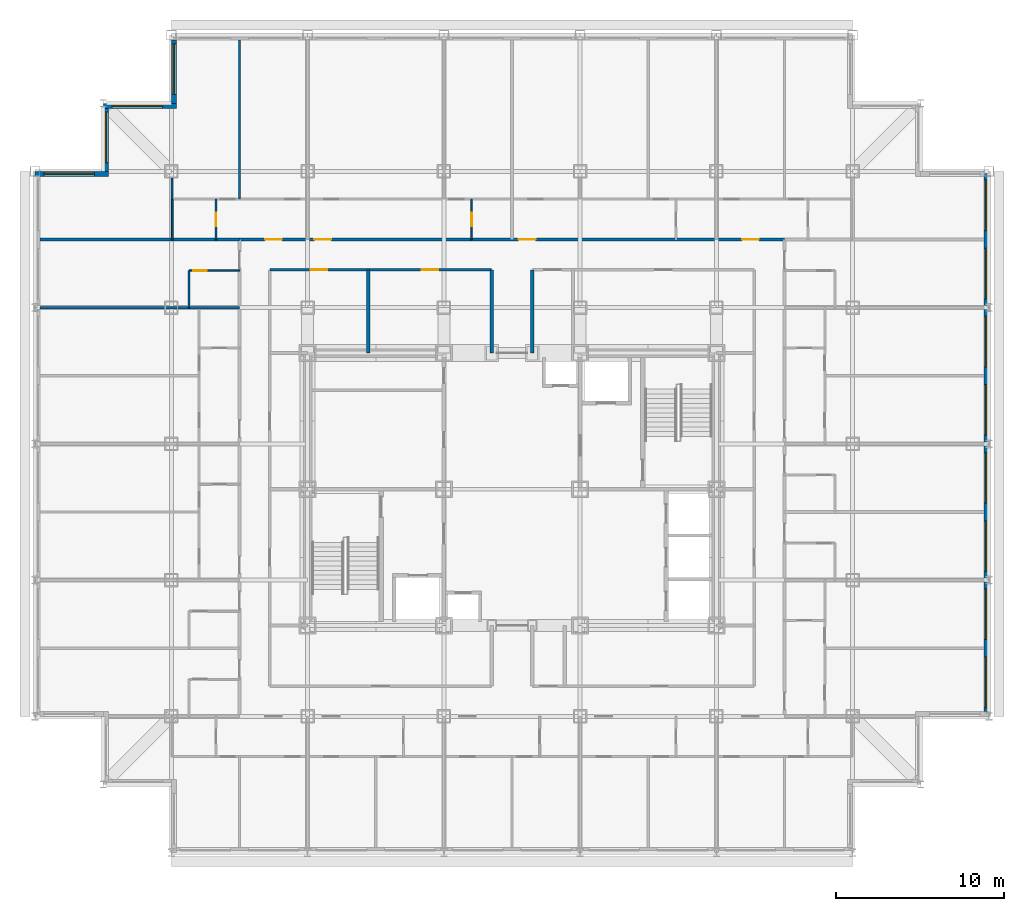
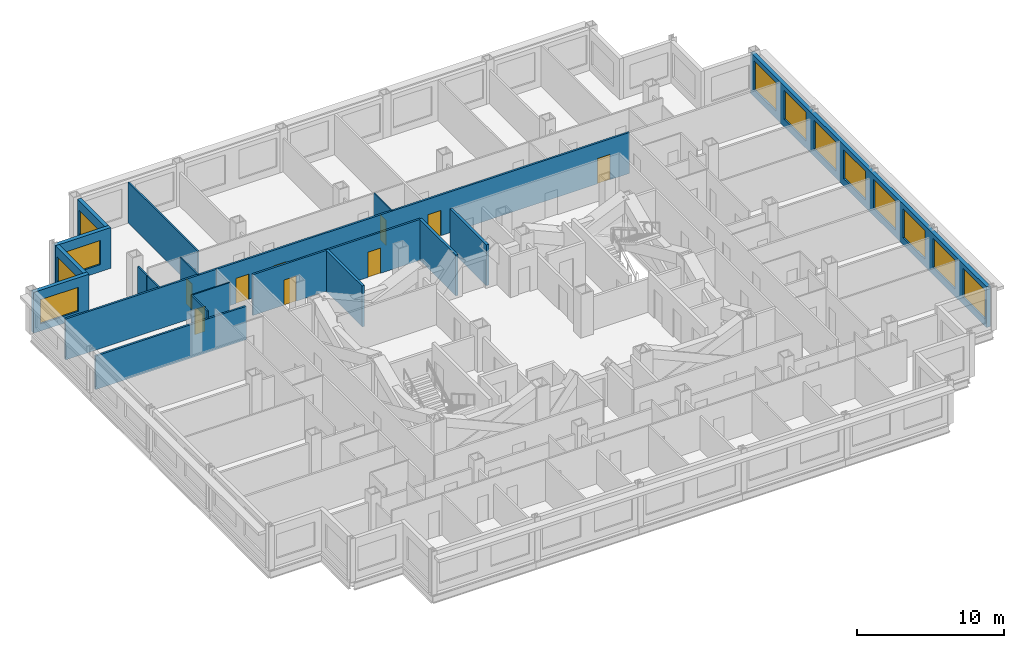
# One storey, part 9 of 12: 19 walls, 12 windows, 9 doors, 21 openings.
"""IFC4 building model written with IfcOpenShell, lengths in metres."""

from ifc_helpers import new_model, si_unit, direction, frame, frame_2d, origin, place, context, subcontext, project, spatial, rectangle, extrude, material, layer, layer_set, type_object, element, fill, save


model = new_model("IFC4")

# Units and contexts
model_context = context("Model", 3, precision=1e-05, world=origin(), true_north=direction((0.0, 1.0)))
body_context = subcontext(model_context, "Body", "Model", "MODEL_VIEW")
ifc_project = project(units=[si_unit("LENGTHUNIT", "METRE"), si_unit("AREAUNIT", "SQUARE_METRE"), si_unit("VOLUMEUNIT", "CUBIC_METRE"), si_unit("PLANEANGLEUNIT", "RADIAN"), si_unit("MASSUNIT", "GRAM", prefix="KILO")], contexts=[model_context])

# Site, building, storey
site_placement = place(None, origin())
site = spatial("IfcSite", under=ifc_project, at=site_placement, CompositionType="ELEMENT")
building_placement = place(site_placement, origin())
building = spatial("IfcBuilding", under=site, at=building_placement, Name="Kopane Lantern Tower", CompositionType="ELEMENT")
storey_placement = place(building_placement, frame((0.0, 0.0, 181.199951171875)))
storey = spatial("IfcBuildingStorey", under=building, at=storey_placement, Name="L46", CompositionType="ELEMENT", Elevation=181.199951171875)

# Walls
ifc_material_1 = material(Name="Gypsum board on steel studs", Category="steel")
ifc_layer_1 = layer(ifc_material_1, 0.1201171875)
ifc_layer_set_1 = layer_set([ifc_layer_1], Name="APARTMENT INTERNAL WALL 120")
wall_type_1 = type_object("IfcWallType", Name="APARTMENT INTERNAL WALL 120", PredefinedType="PARTITIONING", material=ifc_layer_set_1)
wall_1_placement = place(storey_placement, frame((12.14990234375, 49.64990234375, 0.0), z_axis=(0.0, 0.0, 1.0), x_axis=(0.0, 1.0, 0.0)))
element("IfcWall", 1, at=wall_1_placement, inside=storey, type_object=wall_type_1, Name="Apartment Internal Wall 120 L46", PredefinedType="PARTITIONING", context=body_context, shape_type="SweptSolid", body=[
    extrude(rectangle(XDim=9.4501953125, YDim=0.1201171875, at=frame_2d((4.72509765625, 0.0))), origin(), (0.0, 0.0, 1.0), 3.39013671875),
])
wall_2_placement = place(storey_placement, frame((8.14990234375, 49.64990234375, 0.0), z_axis=(0.0, 0.0, 1.0), x_axis=(0.0, 1.0, 0.0)))
element("IfcWall", 2, at=wall_2_placement, inside=storey, type_object=wall_type_1, Name="Apartment Internal Wall 120 L46", PredefinedType="PARTITIONING", context=body_context, shape_type="SweptSolid", body=[
    extrude(rectangle(XDim=1.25, YDim=0.1201171875, at=frame_2d((0.625, 0.0))), origin(), (0.0, 0.0, 1.0), 2.77783203125),
])

# Wall, opening, door
ifc_material_2 = material(Name="Moisture-resistant board on steel studs", Category="steel")
ifc_layer_2 = layer(ifc_material_2, 0.10009765625)
ifc_layer_set_2 = layer_set([ifc_layer_2], Name="BATHROOM WALL 100")
wall_type_2 = type_object("IfcWallType", Name="BATHROOM WALL 100", PredefinedType="PARTITIONING", material=ifc_layer_set_2)
wall_3_placement = place(storey_placement, frame((25.949951171875, 47.25, 0.0), z_axis=(0.0, 0.0, 1.0), x_axis=(0.0, 1.0, 0.0)))
wall_3 = element("IfcWall", 3, at=wall_3_placement, inside=storey, type_object=wall_type_2, Name="Bathroom Wall 100 L46", PredefinedType="PARTITIONING", context=body_context, shape_type="SweptSolid", body=[
    extrude(rectangle(XDim=2.39990234375, YDim=0.10009765625, at=frame_2d((1.199951171875, 0.0))), origin(), (0.0, 0.0, 1.0), 3.39013671875),
])
opening_1_placement = place(wall_3_placement, frame((0.800048828125, 0.0, 0.0)))
opening_1 = element("IfcOpeningElement", 4, at=opening_1_placement, cuts=wall_3, Name="Opening L46-024", PredefinedType="OPENING", context=body_context, shape_type="SweptSolid", body=[
    extrude(rectangle(XDim=0.800048828125, YDim=2.10009765625, at=frame_2d((0.39990234375, 1.050048828125))), frame((0.0, 0.06005859375, 0.0), z_axis=(0.0, -1.0, 0.0), x_axis=(1.0, 0.0, 0.0)), (0.0, 0.0, 1.0), 0.1201171875),
])
ifc_material_3 = material(Name="Timber door set", Category="wood")
door_type_1 = type_object("IfcDoorType", Name="DOOR D2 800x2100", OperationType="SINGLE_SWING_LEFT", PredefinedType="DOOR", material=ifc_material_3)
door_1_placement = place(opening_1_placement, origin())
door_1 = element("IfcDoor", 5, at=door_1_placement, inside=storey, type_object=door_type_1, Name="Door L46-024", OperationType="SINGLE_SWING_RIGHT", OverallHeight=2.10009765625, OverallWidth=0.800048828125, PredefinedType="DOOR", context=body_context, shape_type="SweptSolid", body=[
    extrude(rectangle(XDim=0.800048828125, YDim=2.10009765625, at=frame_2d((0.39990234375, 1.050048828125))), frame((0.0, 0.02490234375, 0.0), z_axis=(0.0, -1.0, 0.0), x_axis=(1.0, 0.0, 0.0)), (0.0, 0.0, 1.0), 0.050048828125),
])
fill(opening_1, door_1)

# Wall
wall_4_placement = place(storey_placement, frame((9.14990234375, 43.199951171875, 0.0), z_axis=(0.0, 0.0, 1.0), x_axis=(0.0, 1.0, 0.0)))
element("IfcWall", 6, at=wall_4_placement, inside=storey, type_object=wall_type_2, Name="Bathroom Wall 100 L46", PredefinedType="PARTITIONING", context=body_context, shape_type="SweptSolid", body=[
    extrude(rectangle(XDim=2.199951171875, YDim=0.10009765625, at=frame_2d((1.10009765625, 0.0))), origin(), (0.0, 0.0, 1.0), 3.39013671875),
])

# Wall, opening, door
wall_5_placement = place(storey_placement, frame((12.14990234375, 45.39990234375, 0.0), z_axis=(0.0, 0.0, 1.0), x_axis=(-1.0, 0.0, 0.0)))
wall_5 = element("IfcWall", 7, at=wall_5_placement, inside=storey, type_object=wall_type_2, Name="Bathroom Wall 100 L46", PredefinedType="PARTITIONING", context=body_context, shape_type="SweptSolid", body=[
    extrude(rectangle(XDim=3.0, YDim=0.10009765625, at=frame_2d((1.5, 0.0))), origin(), (0.0, 0.0, 1.0), 3.39013671875),
])
opening_2_placement = place(wall_5_placement, frame((1.949951171875, 0.0, 0.0)))
opening_2 = element("IfcOpeningElement", 8, at=opening_2_placement, cuts=wall_5, Name="Opening L46-044", PredefinedType="OPENING", context=body_context, shape_type="SweptSolid", body=[
    extrude(rectangle(XDim=0.800048828125, YDim=2.10009765625, at=frame_2d((0.39990234375, 1.050048828125))), frame((0.0, 0.06005859375, 0.0), z_axis=(0.0, -1.0, 0.0), x_axis=(1.0, 0.0, 0.0)), (0.0, 0.0, 1.0), 0.1201171875),
])
door_2_placement = place(opening_2_placement, origin())
door_2 = element("IfcDoor", 9, at=door_2_placement, inside=storey, type_object=door_type_1, Name="Door L46-044", OperationType="SINGLE_SWING_RIGHT", OverallHeight=2.10009765625, OverallWidth=0.800048828125, PredefinedType="DOOR", context=body_context, shape_type="SweptSolid", body=[
    extrude(rectangle(XDim=0.800048828125, YDim=2.10009765625, at=frame_2d((0.39990234375, 1.050048828125))), frame((0.0, 0.02490234375, 0.0), z_axis=(0.0, -1.0, 0.0), x_axis=(1.0, 0.0, 0.0)), (0.0, 0.0, 1.0), 0.050048828125),
])
fill(opening_2, door_2)

wall_6_placement = place(storey_placement, frame((10.75, 47.25, 0.0), z_axis=(0.0, 0.0, 1.0), x_axis=(0.0, 1.0, 0.0)))
wall_6 = element("IfcWall", 10, at=wall_6_placement, inside=storey, type_object=wall_type_2, Name="Bathroom Wall 100 L46", PredefinedType="PARTITIONING", context=body_context, shape_type="SweptSolid", body=[
    extrude(rectangle(XDim=2.39990234375, YDim=0.10009765625, at=frame_2d((1.199951171875, 0.0))), origin(), (0.0, 0.0, 1.0), 3.39013671875),
])
opening_3_placement = place(wall_6_placement, frame((0.800048828125, 0.0, 0.0)))
opening_3 = element("IfcOpeningElement", 11, at=opening_3_placement, cuts=wall_6, Name="Opening L46-074", PredefinedType="OPENING", context=body_context, shape_type="SweptSolid", body=[
    extrude(rectangle(XDim=0.800048828125, YDim=2.10009765625, at=frame_2d((0.39990234375, 1.050048828125))), frame((0.0, 0.06005859375, 0.0), z_axis=(0.0, -1.0, 0.0), x_axis=(1.0, 0.0, 0.0)), (0.0, 0.0, 1.0), 0.1201171875),
])
door_3_placement = place(opening_3_placement, origin())
door_3 = element("IfcDoor", 12, at=door_3_placement, inside=storey, type_object=door_type_1, Name="Door L46-074", OperationType="SINGLE_SWING_LEFT", OverallHeight=2.10009765625, OverallWidth=0.800048828125, PredefinedType="DOOR", context=body_context, shape_type="SweptSolid", body=[
    extrude(rectangle(XDim=0.800048828125, YDim=2.10009765625, at=frame_2d((0.39990234375, 1.050048828125))), frame((0.0, 0.02490234375, 0.0), z_axis=(0.0, -1.0, 0.0), x_axis=(1.0, 0.0, 0.0)), (0.0, 0.0, 1.0), 0.050048828125),
])
fill(opening_3, door_3)

# Wall
wall_7_placement = place(storey_placement, frame((8.14990234375, 47.25, 0.0), z_axis=(0.0, 0.0, 1.0), x_axis=(0.0, 1.0, 0.0)))
element("IfcWall", 13, at=wall_7_placement, inside=storey, type_object=wall_type_2, Name="Bathroom Wall 100 L46", PredefinedType="PARTITIONING", context=body_context, shape_type="SweptSolid", body=[
    extrude(rectangle(XDim=2.39990234375, YDim=0.10009765625, at=frame_2d((1.199951171875, 0.0))), origin(), (0.0, 0.0, 1.0), 2.77783203125),
])

# Wall, openings, doors
ifc_material_4 = material(Name="Gypsum board on steel studs", Category="steel")
ifc_layer_3 = layer(ifc_material_4, 0.14990234375)
ifc_layer_set_3 = layer_set([ifc_layer_3], Name="CORRIDOR WALL 150 EI 60")
wall_type_3 = type_object("IfcWallType", Name="CORRIDOR WALL 150 EI 60", PredefinedType="PARTITIONING", material=ifc_layer_set_3)
wall_8_placement = place(storey_placement, frame((12.14990234375, 47.25, 0.0), z_axis=(0.0, 0.0, 1.0), x_axis=(1.0, 0.0, 0.0)))
wall_8 = element("IfcWall", 14, at=wall_8_placement, inside=storey, type_object=wall_type_3, Name="Corridor Wall 150 Ei 60 L46", PredefinedType="PARTITIONING", context=body_context, shape_type="SweptSolid", body=[
    extrude(rectangle(XDim=32.400146484375, YDim=0.14990234375, at=frame_2d((16.2001953125, 0.0))), origin(), (0.0, 0.0, 1.0), 3.39013671875),
])
opening_4_placement = place(wall_8_placement, frame((4.449951171875, 0.0, 0.0)))
opening_4 = element("IfcOpeningElement", 15, at=opening_4_placement, cuts=wall_8, Name="Opening L46-025", PredefinedType="OPENING", context=body_context, shape_type="SweptSolid", body=[
    extrude(rectangle(XDim=1.0, YDim=2.10009765625, at=frame_2d((0.5, 1.050048828125))), frame((0.0, 0.0849609375, 0.0), z_axis=(0.0, -1.0, 0.0), x_axis=(1.0, 0.0, 0.0)), (0.0, 0.0, 1.0), 0.169921875),
])
opening_5_placement = place(wall_8_placement, frame((16.60009765625, 0.0, 0.0)))
opening_5 = element("IfcOpeningElement", 16, at=opening_5_placement, cuts=wall_8, Name="Opening L46-029", PredefinedType="OPENING", context=body_context, shape_type="SweptSolid", body=[
    extrude(rectangle(XDim=1.0, YDim=2.10009765625, at=frame_2d((0.5, 1.050048828125))), frame((0.0, 0.0849609375, 0.0), z_axis=(0.0, -1.0, 0.0), x_axis=(1.0, 0.0, 0.0)), (0.0, 0.0, 1.0), 0.169921875),
])
opening_6_placement = place(wall_8_placement, frame((29.875, 0.0, 0.0)))
opening_6 = element("IfcOpeningElement", 17, at=opening_6_placement, cuts=wall_8, Name="Opening L46-068", PredefinedType="OPENING", context=body_context, shape_type="SweptSolid", body=[
    extrude(rectangle(XDim=1.0, YDim=2.10009765625, at=frame_2d((0.5, 1.050048828125))), frame((0.0, 0.0849609375, 0.0), z_axis=(0.0, -1.0, 0.0), x_axis=(1.0, 0.0, 0.0)), (0.0, 0.0, 1.0), 0.169921875),
])
opening_7_placement = place(wall_8_placement, frame((1.52490234375, 0.0, 0.0)))
opening_7 = element("IfcOpeningElement", 18, at=opening_7_placement, cuts=wall_8, Name="Opening L46-072", PredefinedType="OPENING", context=body_context, shape_type="SweptSolid", body=[
    extrude(rectangle(XDim=1.0, YDim=2.10009765625, at=frame_2d((0.5, 1.050048828125))), frame((0.0, 0.0849609375, 0.0), z_axis=(0.0, -1.0, 0.0), x_axis=(1.0, 0.0, 0.0)), (0.0, 0.0, 1.0), 0.169921875),
])
ifc_material_5 = material(Name="Steel door set", Category="steel")
door_type_2 = type_object("IfcDoorType", Name="DOOR D3 1000x2100 FD30S", OperationType="SINGLE_SWING_LEFT", PredefinedType="DOOR", material=ifc_material_5)
door_4_placement = place(opening_4_placement, origin())
door_4 = element("IfcDoor", 19, at=door_4_placement, inside=storey, type_object=door_type_2, Name="Door L46-025", OperationType="SINGLE_SWING_LEFT", OverallHeight=2.10009765625, OverallWidth=1.0, PredefinedType="DOOR", context=body_context, shape_type="SweptSolid", body=[
    extrude(rectangle(XDim=1.0, YDim=2.10009765625, at=frame_2d((0.5, 1.050048828125))), frame((0.0, 0.02490234375, 0.0), z_axis=(0.0, -1.0, 0.0), x_axis=(1.0, 0.0, 0.0)), (0.0, 0.0, 1.0), 0.050048828125),
])
fill(opening_4, door_4)
door_5_placement = place(opening_5_placement, origin())
door_5 = element("IfcDoor", 20, at=door_5_placement, inside=storey, type_object=door_type_2, Name="Door L46-029", OperationType="SINGLE_SWING_LEFT", OverallHeight=2.10009765625, OverallWidth=1.0, PredefinedType="DOOR", context=body_context, shape_type="SweptSolid", body=[
    extrude(rectangle(XDim=1.0, YDim=2.10009765625, at=frame_2d((0.5, 1.050048828125))), frame((0.0, 0.02490234375, 0.0), z_axis=(0.0, -1.0, 0.0), x_axis=(1.0, 0.0, 0.0)), (0.0, 0.0, 1.0), 0.050048828125),
])
fill(opening_5, door_5)
door_6_placement = place(opening_6_placement, origin())
door_6 = element("IfcDoor", 21, at=door_6_placement, inside=storey, type_object=door_type_2, Name="Door L46-068", OperationType="SINGLE_SWING_LEFT", OverallHeight=2.10009765625, OverallWidth=1.0, PredefinedType="DOOR", context=body_context, shape_type="SweptSolid", body=[
    extrude(rectangle(XDim=1.0, YDim=2.10009765625, at=frame_2d((0.5, 1.050048828125))), frame((0.0, 0.02490234375, 0.0), z_axis=(0.0, -1.0, 0.0), x_axis=(1.0, 0.0, 0.0)), (0.0, 0.0, 1.0), 0.050048828125),
])
fill(opening_6, door_6)
door_7_placement = place(opening_7_placement, origin())
door_7 = element("IfcDoor", 22, at=door_7_placement, inside=storey, type_object=door_type_2, Name="Door L46-072", OperationType="SINGLE_SWING_RIGHT", OverallHeight=2.10009765625, OverallWidth=1.0, PredefinedType="DOOR", context=body_context, shape_type="SweptSolid", body=[
    extrude(rectangle(XDim=1.0, YDim=2.10009765625, at=frame_2d((0.5, 1.050048828125))), frame((0.0, 0.02490234375, 0.0), z_axis=(0.0, -1.0, 0.0), x_axis=(1.0, 0.0, 0.0)), (0.0, 0.0, 1.0), 0.050048828125),
])
fill(opening_7, door_7)

wall_9_placement = place(storey_placement, frame((27.139892578125, 45.449951171875, 0.0), z_axis=(0.0, 0.0, 1.0), x_axis=(-1.0, 0.0, 0.0)))
wall_9 = element("IfcWall", 23, at=wall_9_placement, inside=storey, type_object=wall_type_3, Name="Corridor Wall 150 Ei 60 L46", PredefinedType="PARTITIONING", context=body_context, shape_type="SweptSolid", body=[
    extrude(rectangle(XDim=13.18994140625, YDim=0.14990234375, at=frame_2d((6.594970703125, 0.0))), origin(), (0.0, 0.0, 1.0), 3.39013671875),
])
opening_8_placement = place(wall_9_placement, frame((9.7607421875, 0.0, 0.0)))
opening_8 = element("IfcOpeningElement", 24, at=opening_8_placement, cuts=wall_9, Name="Opening L46-008", PredefinedType="OPENING", context=body_context, shape_type="SweptSolid", body=[
    extrude(rectangle(XDim=1.0, YDim=2.10009765625, at=frame_2d((0.5, 1.050048828125))), frame((0.0, 0.0849609375, 0.0), z_axis=(0.0, -1.0, 0.0), x_axis=(1.0, 0.0, 0.0)), (0.0, 0.0, 1.0), 0.169921875),
])
opening_9_placement = place(wall_9_placement, frame((3.16064453125, 0.0, 0.0)))
opening_9 = element("IfcOpeningElement", 25, at=opening_9_placement, cuts=wall_9, Name="Opening L46-009", PredefinedType="OPENING", context=body_context, shape_type="SweptSolid", body=[
    extrude(rectangle(XDim=1.0, YDim=2.10009765625, at=frame_2d((0.5, 1.050048828125))), frame((0.0, 0.0849609375, 0.0), z_axis=(0.0, -1.0, 0.0), x_axis=(1.0, 0.0, 0.0)), (0.0, 0.0, 1.0), 0.169921875),
])
ifc_material_6 = material(Name="Steel door set", Category="steel")
door_type_3 = type_object("IfcDoorType", Name="DOOR D5 1000x2100 FD60", OperationType="SINGLE_SWING_LEFT", PredefinedType="DOOR", material=ifc_material_6)
door_8_placement = place(opening_8_placement, origin())
door_8 = element("IfcDoor", 26, at=door_8_placement, inside=storey, type_object=door_type_3, Name="Door L46-008", OperationType="SINGLE_SWING_RIGHT", OverallHeight=2.10009765625, OverallWidth=1.0, PredefinedType="DOOR", context=body_context, shape_type="SweptSolid", body=[
    extrude(rectangle(XDim=1.0, YDim=2.10009765625, at=frame_2d((0.5, 1.050048828125))), frame((0.0, 0.02490234375, 0.0), z_axis=(0.0, -1.0, 0.0), x_axis=(1.0, 0.0, 0.0)), (0.0, 0.0, 1.0), 0.050048828125),
])
fill(opening_8, door_8)
door_9_placement = place(opening_9_placement, origin())
door_9 = element("IfcDoor", 27, at=door_9_placement, inside=storey, type_object=door_type_3, Name="Door L46-009", OperationType="SINGLE_SWING_LEFT", OverallHeight=2.10009765625, OverallWidth=1.0, PredefinedType="DOOR", context=body_context, shape_type="SweptSolid", body=[
    extrude(rectangle(XDim=1.0, YDim=2.10009765625, at=frame_2d((0.5, 1.050048828125))), frame((0.0, 0.02490234375, 0.0), z_axis=(0.0, -1.0, 0.0), x_axis=(1.0, 0.0, 0.0)), (0.0, 0.0, 1.0), 0.050048828125),
])
fill(opening_9, door_9)

# Walls
ifc_material_7 = material(Name="Gypsum board on steel studs", Category="steel")
ifc_layer_4 = layer(ifc_material_7, 0.14990234375)
ifc_layer_set_4 = layer_set([ifc_layer_4], Name="DEMISING WALL 150 EI 60")
wall_type_4 = type_object("IfcWallType", Name="DEMISING WALL 150 EI 60", PredefinedType="PARTITIONING", material=ifc_layer_set_4)
wall_10_placement = place(storey_placement, frame((12.14990234375, 43.199951171875, 0.0), z_axis=(0.0, 0.0, 1.0), x_axis=(-1.0, 0.0, 0.0)))
element("IfcWall", 28, at=wall_10_placement, inside=storey, type_object=wall_type_4, Name="Demising Wall 150 Ei 60 L46", PredefinedType="PARTITIONING", context=body_context, shape_type="SweptSolid", body=[
    extrude(rectangle(XDim=11.849853515625, YDim=0.14990234375, at=frame_2d((5.9248046875, 0.0))), origin(), (0.0, 0.0, 1.0), 2.77783203125),
])
wall_11_placement = place(storey_placement, frame((0.300048828125, 47.25, 0.0), z_axis=(0.0, 0.0, 1.0), x_axis=(1.0, 0.0, 0.0)))
element("IfcWall", 29, at=wall_11_placement, inside=storey, type_object=wall_type_4, Name="Demising Wall 150 Ei 60 L46", PredefinedType="PARTITIONING", context=body_context, shape_type="SweptSolid", body=[
    extrude(rectangle(XDim=11.849853515625, YDim=0.14990234375, at=frame_2d((5.9248046875, 0.0))), origin(), (0.0, 0.0, 1.0), 3.39013671875),
])

# Wall, openings, windows
ifc_material_8 = material(Name="Terracotta rainscreen on light steel framing", Category="masonry")
ifc_layer_5 = layer(ifc_material_8, 0.300048828125)
ifc_layer_set_5 = layer_set([ifc_layer_5], Name="EXTERNAL WALL EW1 300 TERRACOTTA")
wall_type_5 = type_object("IfcWallType", Name="EXTERNAL WALL EW1 300 TERRACOTTA", PredefinedType="SOLIDWALL", material=ifc_layer_set_5)
wall_12_placement = place(storey_placement, frame((56.550048828125, 19.199951171875, 0.0), z_axis=(0.0, 0.0, 1.0), x_axis=(0.0, 1.0, 0.0)))
wall_12 = element("IfcWall", 30, at=wall_12_placement, inside=storey, type_object=wall_type_5, Name="External wall E L46", PredefinedType="SOLIDWALL", context=body_context, shape_type="SweptSolid", body=[
    extrude(rectangle(XDim=32.10009765625, YDim=0.300048828125, at=frame_2d((16.050048828125, 0.0))), origin(), (0.0, 0.0, 1.0), 3.39013671875),
])
opening_10_placement = place(wall_12_placement, frame((0.22509765625, 0.0, 0.60009765625)))
opening_10 = element("IfcOpeningElement", 31, at=opening_10_placement, cuts=wall_12, Name="Opening WR300240", PredefinedType="OPENING", context=body_context, shape_type="SweptSolid", body=[
    extrude(rectangle(XDim=3.0, YDim=2.39990234375, at=frame_2d((1.5, 1.199951171875))), frame((0.0, 0.159912109375, 0.0), z_axis=(0.0, -1.0, 0.0), x_axis=(1.0, 0.0, 0.0)), (0.0, 0.0, 1.0), 0.320068359375),
])
opening_11_placement = place(wall_12_placement, frame((4.27490234375, 0.0, 0.60009765625)))
opening_11 = element("IfcOpeningElement", 32, at=opening_11_placement, cuts=wall_12, Name="Opening WR300240", PredefinedType="OPENING", context=body_context, shape_type="SweptSolid", body=[
    extrude(rectangle(XDim=3.0, YDim=2.39990234375, at=frame_2d((1.5, 1.199951171875))), frame((0.0, 0.159912109375, 0.0), z_axis=(0.0, -1.0, 0.0), x_axis=(1.0, 0.0, 0.0)), (0.0, 0.0, 1.0), 0.320068359375),
])
opening_12_placement = place(wall_12_placement, frame((8.324951171875, 0.0, 0.60009765625)))
opening_12 = element("IfcOpeningElement", 33, at=opening_12_placement, cuts=wall_12, Name="Opening WR300240", PredefinedType="OPENING", context=body_context, shape_type="SweptSolid", body=[
    extrude(rectangle(XDim=3.0, YDim=2.39990234375, at=frame_2d((1.5, 1.199951171875))), frame((0.0, 0.159912109375, 0.0), z_axis=(0.0, -1.0, 0.0), x_axis=(1.0, 0.0, 0.0)), (0.0, 0.0, 1.0), 0.320068359375),
])
opening_13_placement = place(wall_12_placement, frame((12.375, 0.0, 0.60009765625)))
opening_13 = element("IfcOpeningElement", 34, at=opening_13_placement, cuts=wall_12, Name="Opening WR300240", PredefinedType="OPENING", context=body_context, shape_type="SweptSolid", body=[
    extrude(rectangle(XDim=3.0, YDim=2.39990234375, at=frame_2d((1.5, 1.199951171875))), frame((0.0, 0.159912109375, 0.0), z_axis=(0.0, -1.0, 0.0), x_axis=(1.0, 0.0, 0.0)), (0.0, 0.0, 1.0), 0.320068359375),
])
opening_14_placement = place(wall_12_placement, frame((16.425048828125, 0.0, 0.60009765625)))
opening_14 = element("IfcOpeningElement", 35, at=opening_14_placement, cuts=wall_12, Name="Opening WR300240", PredefinedType="OPENING", context=body_context, shape_type="SweptSolid", body=[
    extrude(rectangle(XDim=3.0, YDim=2.39990234375, at=frame_2d((1.5, 1.199951171875))), frame((0.0, 0.159912109375, 0.0), z_axis=(0.0, -1.0, 0.0), x_axis=(1.0, 0.0, 0.0)), (0.0, 0.0, 1.0), 0.320068359375),
])
opening_15_placement = place(wall_12_placement, frame((20.47509765625, 0.0, 0.60009765625)))
opening_15 = element("IfcOpeningElement", 36, at=opening_15_placement, cuts=wall_12, Name="Opening WR300240", PredefinedType="OPENING", context=body_context, shape_type="SweptSolid", body=[
    extrude(rectangle(XDim=3.0, YDim=2.39990234375, at=frame_2d((1.5, 1.199951171875))), frame((0.0, 0.159912109375, 0.0), z_axis=(0.0, -1.0, 0.0), x_axis=(1.0, 0.0, 0.0)), (0.0, 0.0, 1.0), 0.320068359375),
])
opening_16_placement = place(wall_12_placement, frame((24.52490234375, 0.0, 0.60009765625)))
opening_16 = element("IfcOpeningElement", 37, at=opening_16_placement, cuts=wall_12, Name="Opening WR300240", PredefinedType="OPENING", context=body_context, shape_type="SweptSolid", body=[
    extrude(rectangle(XDim=3.0, YDim=2.39990234375, at=frame_2d((1.5, 1.199951171875))), frame((0.0, 0.159912109375, 0.0), z_axis=(0.0, -1.0, 0.0), x_axis=(1.0, 0.0, 0.0)), (0.0, 0.0, 1.0), 0.320068359375),
])
opening_17_placement = place(wall_12_placement, frame((28.574951171875, 0.0, 0.60009765625)))
opening_17 = element("IfcOpeningElement", 38, at=opening_17_placement, cuts=wall_12, Name="Opening WR300240", PredefinedType="OPENING", context=body_context, shape_type="SweptSolid", body=[
    extrude(rectangle(XDim=3.0, YDim=2.39990234375, at=frame_2d((1.5, 1.199951171875))), frame((0.0, 0.159912109375, 0.0), z_axis=(0.0, -1.0, 0.0), x_axis=(1.0, 0.0, 0.0)), (0.0, 0.0, 1.0), 0.320068359375),
])
ifc_material_9 = material(Name="Aluminium and clear glass", Category="aluminium")
window_type_1 = type_object("IfcWindowType", Name="RIBBON WINDOW WR300240 3000x2400", PartitioningType="SINGLE_PANEL", PredefinedType="WINDOW", material=ifc_material_9)
window_1_placement = place(opening_10_placement, origin())
window_1 = element("IfcWindow", 39, at=window_1_placement, inside=storey, type_object=window_type_1, Name="Window E L46", OverallHeight=2.39990234375, OverallWidth=3.0, PartitioningType="SINGLE_PANEL", PredefinedType="WINDOW", context=body_context, shape_type="SweptSolid", body=[
    extrude(rectangle(XDim=3.0, YDim=2.39990234375, at=frame_2d((1.5, 1.199951171875))), frame((0.0, 0.030029296875, 0.0), z_axis=(0.0, -1.0, 0.0), x_axis=(1.0, 0.0, 0.0)), (0.0, 0.0, 1.0), 0.06005859375),
])
fill(opening_10, window_1)
window_2_placement = place(opening_11_placement, origin())
window_2 = element("IfcWindow", 40, at=window_2_placement, inside=storey, type_object=window_type_1, Name="Window E L46", OverallHeight=2.39990234375, OverallWidth=3.0, PartitioningType="SINGLE_PANEL", PredefinedType="WINDOW", context=body_context, shape_type="SweptSolid", body=[
    extrude(rectangle(XDim=3.0, YDim=2.39990234375, at=frame_2d((1.5, 1.199951171875))), frame((0.0, 0.030029296875, 0.0), z_axis=(0.0, -1.0, 0.0), x_axis=(1.0, 0.0, 0.0)), (0.0, 0.0, 1.0), 0.06005859375),
])
fill(opening_11, window_2)
window_3_placement = place(opening_12_placement, origin())
window_3 = element("IfcWindow", 41, at=window_3_placement, inside=storey, type_object=window_type_1, Name="Window E L46", OverallHeight=2.39990234375, OverallWidth=3.0, PartitioningType="SINGLE_PANEL", PredefinedType="WINDOW", context=body_context, shape_type="SweptSolid", body=[
    extrude(rectangle(XDim=3.0, YDim=2.39990234375, at=frame_2d((1.5, 1.199951171875))), frame((0.0, 0.030029296875, 0.0), z_axis=(0.0, -1.0, 0.0), x_axis=(1.0, 0.0, 0.0)), (0.0, 0.0, 1.0), 0.06005859375),
])
fill(opening_12, window_3)
window_4_placement = place(opening_13_placement, origin())
window_4 = element("IfcWindow", 42, at=window_4_placement, inside=storey, type_object=window_type_1, Name="Window E L46", OverallHeight=2.39990234375, OverallWidth=3.0, PartitioningType="SINGLE_PANEL", PredefinedType="WINDOW", context=body_context, shape_type="SweptSolid", body=[
    extrude(rectangle(XDim=3.0, YDim=2.39990234375, at=frame_2d((1.5, 1.199951171875))), frame((0.0, 0.030029296875, 0.0), z_axis=(0.0, -1.0, 0.0), x_axis=(1.0, 0.0, 0.0)), (0.0, 0.0, 1.0), 0.06005859375),
])
fill(opening_13, window_4)
window_5_placement = place(opening_14_placement, origin())
window_5 = element("IfcWindow", 43, at=window_5_placement, inside=storey, type_object=window_type_1, Name="Window E L46", OverallHeight=2.39990234375, OverallWidth=3.0, PartitioningType="SINGLE_PANEL", PredefinedType="WINDOW", context=body_context, shape_type="SweptSolid", body=[
    extrude(rectangle(XDim=3.0, YDim=2.39990234375, at=frame_2d((1.5, 1.199951171875))), frame((0.0, 0.030029296875, 0.0), z_axis=(0.0, -1.0, 0.0), x_axis=(1.0, 0.0, 0.0)), (0.0, 0.0, 1.0), 0.06005859375),
])
fill(opening_14, window_5)
window_6_placement = place(opening_15_placement, origin())
window_6 = element("IfcWindow", 44, at=window_6_placement, inside=storey, type_object=window_type_1, Name="Window E L46", OverallHeight=2.39990234375, OverallWidth=3.0, PartitioningType="SINGLE_PANEL", PredefinedType="WINDOW", context=body_context, shape_type="SweptSolid", body=[
    extrude(rectangle(XDim=3.0, YDim=2.39990234375, at=frame_2d((1.5, 1.199951171875))), frame((0.0, 0.030029296875, 0.0), z_axis=(0.0, -1.0, 0.0), x_axis=(1.0, 0.0, 0.0)), (0.0, 0.0, 1.0), 0.06005859375),
])
fill(opening_15, window_6)
window_7_placement = place(opening_16_placement, origin())
window_7 = element("IfcWindow", 45, at=window_7_placement, inside=storey, type_object=window_type_1, Name="Window E L46", OverallHeight=2.39990234375, OverallWidth=3.0, PartitioningType="SINGLE_PANEL", PredefinedType="WINDOW", context=body_context, shape_type="SweptSolid", body=[
    extrude(rectangle(XDim=3.0, YDim=2.39990234375, at=frame_2d((1.5, 1.199951171875))), frame((0.0, 0.030029296875, 0.0), z_axis=(0.0, -1.0, 0.0), x_axis=(1.0, 0.0, 0.0)), (0.0, 0.0, 1.0), 0.06005859375),
])
fill(opening_16, window_7)
window_8_placement = place(opening_17_placement, origin())
window_8 = element("IfcWindow", 46, at=window_8_placement, inside=storey, type_object=window_type_1, Name="Window E L46", OverallHeight=2.39990234375, OverallWidth=3.0, PartitioningType="SINGLE_PANEL", PredefinedType="WINDOW", context=body_context, shape_type="SweptSolid", body=[
    extrude(rectangle(XDim=3.0, YDim=2.39990234375, at=frame_2d((1.5, 1.199951171875))), frame((0.0, 0.030029296875, 0.0), z_axis=(0.0, -1.0, 0.0), x_axis=(1.0, 0.0, 0.0)), (0.0, 0.0, 1.0), 0.06005859375),
])
fill(opening_17, window_8)

# Wall, opening, window
wall_13_placement = place(storey_placement, frame((8.25, 59.10009765625, 0.0), z_axis=(0.0, 0.0, 1.0), x_axis=(0.0, -1.0, 0.0)))
wall_13 = element("IfcWall", 47, at=wall_13_placement, inside=storey, type_object=wall_type_5, Name="External wall W L46", PredefinedType="SOLIDWALL", context=body_context, shape_type="SweptSolid", body=[
    extrude(rectangle(XDim=3.75, YDim=0.300048828125, at=frame_2d((1.875, 0.0))), origin(), (0.0, 0.0, 1.0), 3.39013671875),
])
opening_18_placement = place(wall_13_placement, frame((0.22509765625, 0.0, 0.60009765625)))
opening_18 = element("IfcOpeningElement", 48, at=opening_18_placement, cuts=wall_13, Name="Opening WR300200", PredefinedType="OPENING", context=body_context, shape_type="SweptSolid", body=[
    extrude(rectangle(XDim=3.0, YDim=2.0, at=frame_2d((1.5, 1.0))), frame((0.0, 0.159912109375, 0.0), z_axis=(0.0, -1.0, 0.0), x_axis=(1.0, 0.0, 0.0)), (0.0, 0.0, 1.0), 0.320068359375),
])
ifc_material_10 = material(Name="Aluminium and clear glass", Category="aluminium")
window_type_2 = type_object("IfcWindowType", Name="RIBBON WINDOW WR300200 3000x2000", PartitioningType="SINGLE_PANEL", PredefinedType="WINDOW", material=ifc_material_10)
window_9_placement = place(opening_18_placement, origin())
window_9 = element("IfcWindow", 49, at=window_9_placement, inside=storey, type_object=window_type_2, Name="Window W L46", OverallHeight=2.0, OverallWidth=3.0, PartitioningType="SINGLE_PANEL", PredefinedType="WINDOW", context=body_context, shape_type="SweptSolid", body=[
    extrude(rectangle(XDim=3.0, YDim=2.0, at=frame_2d((1.5, 1.0))), frame((0.0, 0.030029296875, 0.0), z_axis=(0.0, -1.0, 0.0), x_axis=(1.0, 0.0, 0.0)), (0.0, 0.0, 1.0), 0.06005859375),
])
fill(opening_18, window_9)

wall_14_placement = place(storey_placement, frame((8.39990234375, 55.199951171875, 0.0), z_axis=(0.0, 0.0, 1.0), x_axis=(-1.0, 0.0, 0.0)))
wall_14 = element("IfcWall", 50, at=wall_14_placement, inside=storey, type_object=wall_type_5, Name="External wall N L46", PredefinedType="SOLIDWALL", context=body_context, shape_type="SweptSolid", body=[
    extrude(rectangle(XDim=4.349853515625, YDim=0.300048828125, at=frame_2d((2.1748046875, 0.0))), origin(), (0.0, 0.0, 1.0), 3.39013671875),
])
opening_19_placement = place(wall_14_placement, frame((0.824951171875, 0.0, 0.60009765625)))
opening_19 = element("IfcOpeningElement", 51, at=opening_19_placement, cuts=wall_14, Name="Opening WR300200", PredefinedType="OPENING", context=body_context, shape_type="SweptSolid", body=[
    extrude(rectangle(XDim=3.0, YDim=2.0, at=frame_2d((1.5, 1.0))), frame((0.0, 0.159912109375, 0.0), z_axis=(0.0, -1.0, 0.0), x_axis=(1.0, 0.0, 0.0)), (0.0, 0.0, 1.0), 0.320068359375),
])
window_10_placement = place(opening_19_placement, origin())
window_10 = element("IfcWindow", 52, at=window_10_placement, inside=storey, type_object=window_type_2, Name="Window N L46", OverallHeight=2.0, OverallWidth=3.0, PartitioningType="SINGLE_PANEL", PredefinedType="WINDOW", context=body_context, shape_type="SweptSolid", body=[
    extrude(rectangle(XDim=3.0, YDim=2.0, at=frame_2d((1.5, 1.0))), frame((0.0, 0.030029296875, 0.0), z_axis=(0.0, -1.0, 0.0), x_axis=(1.0, 0.0, 0.0)), (0.0, 0.0, 1.0), 0.06005859375),
])
fill(opening_19, window_10)

wall_15_placement = place(storey_placement, frame((4.199951171875, 55.050048828125, 0.0), z_axis=(0.0, 0.0, 1.0), x_axis=(0.0, -1.0, 0.0)))
wall_15 = element("IfcWall", 53, at=wall_15_placement, inside=storey, type_object=wall_type_5, Name="External wall W L46", PredefinedType="SOLIDWALL", context=body_context, shape_type="SweptSolid", body=[
    extrude(rectangle(XDim=3.75, YDim=0.300048828125, at=frame_2d((1.875, 0.0))), origin(), (0.0, 0.0, 1.0), 3.39013671875),
])
opening_20_placement = place(wall_15_placement, frame((0.22509765625, 0.0, 0.60009765625)))
opening_20 = element("IfcOpeningElement", 54, at=opening_20_placement, cuts=wall_15, Name="Opening WR300200", PredefinedType="OPENING", context=body_context, shape_type="SweptSolid", body=[
    extrude(rectangle(XDim=3.0, YDim=2.0, at=frame_2d((1.5, 1.0))), frame((0.0, 0.159912109375, 0.0), z_axis=(0.0, -1.0, 0.0), x_axis=(1.0, 0.0, 0.0)), (0.0, 0.0, 1.0), 0.320068359375),
])
window_11_placement = place(opening_20_placement, origin())
window_11 = element("IfcWindow", 55, at=window_11_placement, inside=storey, type_object=window_type_2, Name="Window W L46", OverallHeight=2.0, OverallWidth=3.0, PartitioningType="SINGLE_PANEL", PredefinedType="WINDOW", context=body_context, shape_type="SweptSolid", body=[
    extrude(rectangle(XDim=3.0, YDim=2.0, at=frame_2d((1.5, 1.0))), frame((0.0, 0.030029296875, 0.0), z_axis=(0.0, -1.0, 0.0), x_axis=(1.0, 0.0, 0.0)), (0.0, 0.0, 1.0), 0.06005859375),
])
fill(opening_20, window_11)

wall_16_placement = place(storey_placement, frame((4.35009765625, 51.14990234375, 0.0), z_axis=(0.0, 0.0, 1.0), x_axis=(-1.0, 0.0, 0.0)))
wall_16 = element("IfcWall", 56, at=wall_16_placement, inside=storey, type_object=wall_type_5, Name="External wall N L46", PredefinedType="SOLIDWALL", context=body_context, shape_type="SweptSolid", body=[
    extrude(rectangle(XDim=4.35009765625, YDim=0.300048828125, at=frame_2d((2.175048828125, 0.0))), origin(), (0.0, 0.0, 1.0), 3.39013671875),
])
opening_21_placement = place(wall_16_placement, frame((0.824951171875, 0.0, 0.60009765625)))
opening_21 = element("IfcOpeningElement", 57, at=opening_21_placement, cuts=wall_16, Name="Opening WR300200", PredefinedType="OPENING", context=body_context, shape_type="SweptSolid", body=[
    extrude(rectangle(XDim=3.0, YDim=2.0, at=frame_2d((1.5, 1.0))), frame((0.0, 0.159912109375, 0.0), z_axis=(0.0, -1.0, 0.0), x_axis=(1.0, 0.0, 0.0)), (0.0, 0.0, 1.0), 0.320068359375),
])
window_12_placement = place(opening_21_placement, origin())
window_12 = element("IfcWindow", 58, at=window_12_placement, inside=storey, type_object=window_type_2, Name="Window N L46", OverallHeight=2.0, OverallWidth=3.0, PartitioningType="SINGLE_PANEL", PredefinedType="WINDOW", context=body_context, shape_type="SweptSolid", body=[
    extrude(rectangle(XDim=3.0, YDim=2.0, at=frame_2d((1.5, 1.0))), frame((0.0, 0.030029296875, 0.0), z_axis=(0.0, -1.0, 0.0), x_axis=(1.0, 0.0, 0.0)), (0.0, 0.0, 1.0), 0.06005859375),
])
fill(opening_21, window_12)

# Walls
ifc_material_11 = material(Name="Concrete masonry", Category="masonry")
ifc_layer_6 = layer(ifc_material_11, 0.199951171875)
ifc_layer_set_6 = layer_set([ifc_layer_6], Name="PLANT ROOM WALL 200 EI 120")
wall_type_6 = type_object("IfcWallType", Name="PLANT ROOM WALL 200 EI 120", PredefinedType="SOLIDWALL", material=ifc_layer_set_6)
for number, where, z_axis, x_axis, name in (
    (59, (19.80859375, 45.449951171875, 0.0), (0.0, 0.0, 1.0), (0.0, -1.0, 0.0), "Plant Room Wall 200 Ei 120 L46"),
    (60, (27.14990234375, 40.5, 0.0), (0.0, 0.0, 1.0), (0.0, 1.0, 0.0), "Plant Room Wall 200 Ei 120 L46"),
    (61, (29.550048828125, 40.5, 0.0), (0.0, 0.0, 1.0), (0.0, 1.0, 0.0), "Plant Room Wall 200 Ei 120 L46"),
):
    element("IfcWall", number, at=place(storey_placement, frame(where, z_axis=z_axis, x_axis=x_axis)), inside=storey, type_object=wall_type_6, Name=name, PredefinedType="SOLIDWALL", context=body_context, shape_type="SweptSolid", body=[
        extrude(rectangle(XDim=4.949951171875, YDim=0.199951171875, at=frame_2d((2.47509765625, 0.0))), origin(), (0.0, 0.0, 1.0), 3.39013671875),
    ])

save(model, "model.ifc")
